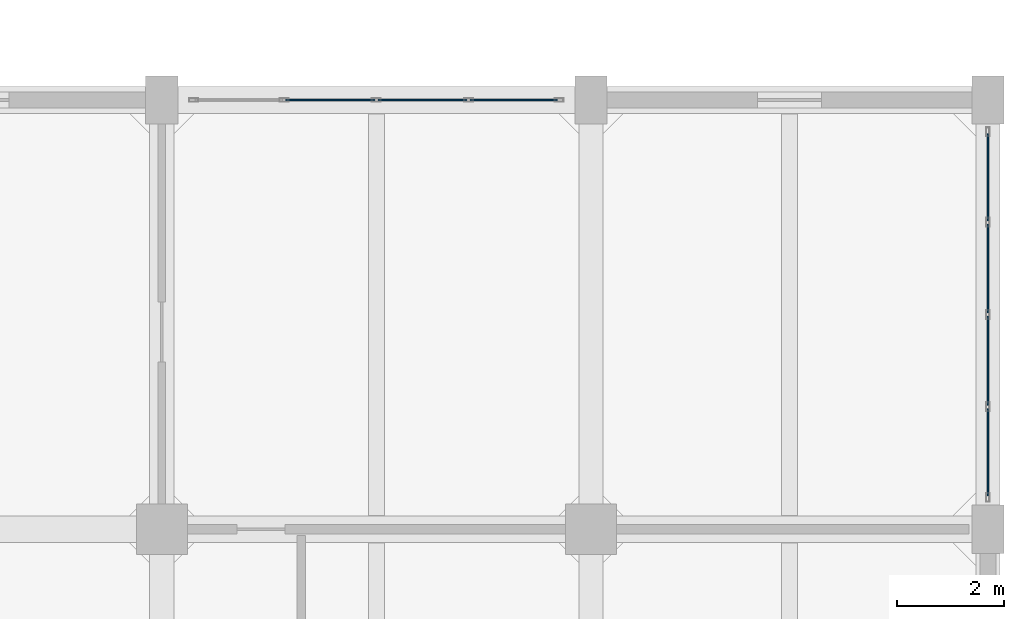
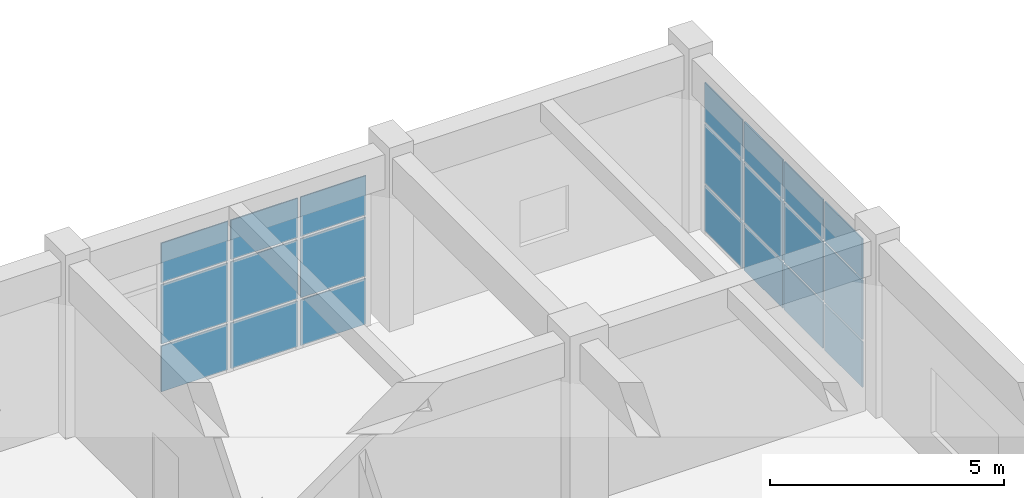
# One storey, part 213 of 248: 21 plates, 2 elements without a shape of their own.
"""IFC4 building model written with IfcOpenShell, lengths in metres."""

from ifc_helpers import new_model, si_unit, direction, frame, origin, origin_2d, place, context, subcontext, project, spatial, rectangle, extrude, material, layer, layer_set, type_object, element, aggregate, save


model = new_model("IFC4")

# Units and contexts
model_context = context("Model", 3, precision=1e-05, world=origin(), true_north=direction((0.0, 1.0)))
body_context = subcontext(model_context, "Body", "Model", "MODEL_VIEW")
ifc_project = project(units=[si_unit("LENGTHUNIT", "METRE"), si_unit("AREAUNIT", "SQUARE_METRE"), si_unit("VOLUMEUNIT", "CUBIC_METRE"), si_unit("PLANEANGLEUNIT", "RADIAN"), si_unit("MASSUNIT", "GRAM", prefix="KILO")], contexts=[model_context])

# Site, building, storey
site_placement = place(None, origin())
site = spatial("IfcSite", under=ifc_project, at=site_placement, CompositionType="ELEMENT")
building_placement = place(site_placement, origin())
building = spatial("IfcBuilding", under=site, at=building_placement, Name="Canggui Botanical Conservatory", CompositionType="ELEMENT")
storey_placement = place(building_placement, frame((0.0, 0.0, 5.39990234375)))
storey = spatial("IfcBuildingStorey", under=building, at=storey_placement, Name="L02", CompositionType="ELEMENT", Elevation=5.39990234375)

# Curtain wall, plates
ifc_material_1 = material(Name="Thermally Broken Aluminium", Category="aluminium")
ifc_layer_1 = layer(ifc_material_1, 0.1650390625, Name="Thermally Broken Aluminium", Category="aluminium")
ifc_layer_set_1 = layer_set([ifc_layer_1], Name="Thermally Broken Aluminium")
curtain_wall_type = type_object("IfcCurtainWallType", Name="CW-UNIT-B", PredefinedType="USERDEFINED", material=ifc_layer_set_1)
curtain_wall_1_placement = place(storey_placement, origin())
curtain_wall_1 = element("IfcCurtainWall", 1, at=curtain_wall_1_placement, inside=storey, type_object=curtain_wall_type, Name="Facade Curtain Wall CW-TWR-L02-18", ObjectType="UNITISED CURTAIN WALL", PredefinedType="USERDEFINED")
ifc_material_2 = material(Name="Low-E Insulated Glass", Category="glass")
ifc_layer_2 = layer(ifc_material_2, 0.030029296875, Name="Low-E Insulated Glass", Category="glass")
ifc_layer_set_2 = layer_set([ifc_layer_2], Name="Low-E Insulated Glass")
plate_type = type_object("IfcPlateType", Name="CWP-02", PredefinedType="CURTAIN_PANEL", material=ifc_layer_set_2)
plate_1_placement = place(storey_placement, frame((165.139892578125, 82.0, 0.06005859375), z_axis=(0.0, 0.0, 1.0), x_axis=(1.0, 0.0, 0.0)))
plate_1 = element("IfcPlate", 2, at=plate_1_placement, type_object=plate_type, Name="CW-02 panel 2.1", PredefinedType="CURTAIN_PANEL", context=body_context, shape_type="SweptSolid", body=[
    extrude(rectangle(XDim=1.655029296875, YDim=0.030029296875, at=origin_2d()), origin(), (0.0, 0.0, 1.0), 1.18994140625),
])
plate_2_placement = place(storey_placement, frame((165.139892578125, 82.0, 1.31005859375), z_axis=(0.0, 0.0, 1.0), x_axis=(1.0, 0.0, 0.0)))
plate_2 = element("IfcPlate", 3, at=plate_2_placement, type_object=plate_type, Name="CW-02 panel 2.2", PredefinedType="CURTAIN_PANEL", context=body_context, shape_type="SweptSolid", body=[
    extrude(rectangle(XDim=1.655029296875, YDim=0.030029296875, at=origin_2d()), origin(), (0.0, 0.0, 1.0), 1.5400390625),
])
plate_3_placement = place(storey_placement, frame((165.139892578125, 82.0, 2.91015625), z_axis=(0.0, 0.0, 1.0), x_axis=(1.0, 0.0, 0.0)))
plate_3 = element("IfcPlate", 4, at=plate_3_placement, type_object=plate_type, Name="CW-02 panel 2.3", PredefinedType="CURTAIN_PANEL", context=body_context, shape_type="SweptSolid", body=[
    extrude(rectangle(XDim=1.655029296875, YDim=0.030029296875, at=origin_2d()), origin(), (0.0, 0.0, 1.0), 1.030029296875),
])
plate_4_placement = place(storey_placement, frame((166.860107421875, 82.0, 0.06005859375), z_axis=(0.0, 0.0, 1.0), x_axis=(1.0, 0.0, 0.0)))
plate_4 = element("IfcPlate", 5, at=plate_4_placement, type_object=plate_type, Name="CW-02 panel 3.1", PredefinedType="CURTAIN_PANEL", context=body_context, shape_type="SweptSolid", body=[
    extrude(rectangle(XDim=1.655029296875, YDim=0.030029296875, at=origin_2d()), origin(), (0.0, 0.0, 1.0), 1.18994140625),
])
plate_5_placement = place(storey_placement, frame((166.860107421875, 82.0, 1.31005859375), z_axis=(0.0, 0.0, 1.0), x_axis=(1.0, 0.0, 0.0)))
plate_5 = element("IfcPlate", 6, at=plate_5_placement, type_object=plate_type, Name="CW-02 panel 3.2", PredefinedType="CURTAIN_PANEL", context=body_context, shape_type="SweptSolid", body=[
    extrude(rectangle(XDim=1.655029296875, YDim=0.030029296875, at=origin_2d()), origin(), (0.0, 0.0, 1.0), 1.5400390625),
])
plate_6_placement = place(storey_placement, frame((166.860107421875, 82.0, 2.91015625), z_axis=(0.0, 0.0, 1.0), x_axis=(1.0, 0.0, 0.0)))
plate_6 = element("IfcPlate", 7, at=plate_6_placement, type_object=plate_type, Name="CW-02 panel 3.3", PredefinedType="CURTAIN_PANEL", context=body_context, shape_type="SweptSolid", body=[
    extrude(rectangle(XDim=1.655029296875, YDim=0.030029296875, at=origin_2d()), origin(), (0.0, 0.0, 1.0), 1.030029296875),
])
plate_7_placement = place(storey_placement, frame((168.563720703125, 82.0, 0.06005859375), z_axis=(0.0, 0.0, 1.0), x_axis=(1.0, 0.0, 0.0)))
plate_7 = element("IfcPlate", 8, at=plate_7_placement, type_object=plate_type, Name="CW-02 panel 4.1", PredefinedType="CURTAIN_PANEL", context=body_context, shape_type="SweptSolid", body=[
    extrude(rectangle(XDim=1.62255859375, YDim=0.030029296875, at=origin_2d()), origin(), (0.0, 0.0, 1.0), 1.18994140625),
])
plate_8_placement = place(storey_placement, frame((168.563720703125, 82.0, 1.31005859375), z_axis=(0.0, 0.0, 1.0), x_axis=(1.0, 0.0, 0.0)))
plate_8 = element("IfcPlate", 9, at=plate_8_placement, type_object=plate_type, Name="CW-02 panel 4.2", PredefinedType="CURTAIN_PANEL", context=body_context, shape_type="SweptSolid", body=[
    extrude(rectangle(XDim=1.62255859375, YDim=0.030029296875, at=origin_2d()), origin(), (0.0, 0.0, 1.0), 1.5400390625),
])
plate_9_placement = place(storey_placement, frame((168.563720703125, 82.0, 2.91015625), z_axis=(0.0, 0.0, 1.0), x_axis=(1.0, 0.0, 0.0)))
plate_9 = element("IfcPlate", 10, at=plate_9_placement, type_object=plate_type, Name="CW-02 panel 4.3", PredefinedType="CURTAIN_PANEL", context=body_context, shape_type="SweptSolid", body=[
    extrude(rectangle(XDim=1.62255859375, YDim=0.030029296875, at=origin_2d()), origin(), (0.0, 0.0, 1.0), 1.030029296875),
])
aggregate(curtain_wall_1, [plate_1, plate_2, plate_3, plate_4, plate_5, plate_6, plate_7, plate_8, plate_9])

curtain_wall_2_placement = place(storey_placement, origin())
curtain_wall_2 = element("IfcCurtainWall", 11, at=curtain_wall_2_placement, inside=storey, type_object=curtain_wall_type, Name="Facade Curtain Wall CW-TWR-L02-20", ObjectType="UNITISED CURTAIN WALL", PredefinedType="USERDEFINED")
plate_10_placement = place(storey_placement, frame((177.39990234375, 80.563720703125, 0.06005859375), z_axis=(0.0, 0.0, 1.0), x_axis=(0.0, -1.0, 0.0)))
plate_10 = element("IfcPlate", 12, at=plate_10_placement, type_object=plate_type, Name="CW-02 panel 1.1", PredefinedType="CURTAIN_PANEL", context=body_context, shape_type="SweptSolid", body=[
    extrude(rectangle(XDim=1.62255859375, YDim=0.030029296875, at=origin_2d()), origin(), (0.0, 0.0, 1.0), 1.18994140625),
])
plate_11_placement = place(storey_placement, frame((177.39990234375, 80.563720703125, 1.31005859375), z_axis=(0.0, 0.0, 1.0), x_axis=(0.0, -1.0, 0.0)))
plate_11 = element("IfcPlate", 13, at=plate_11_placement, type_object=plate_type, Name="CW-02 panel 1.2", PredefinedType="CURTAIN_PANEL", context=body_context, shape_type="SweptSolid", body=[
    extrude(rectangle(XDim=1.62255859375, YDim=0.030029296875, at=origin_2d()), origin(), (0.0, 0.0, 1.0), 1.5400390625),
])
plate_12_placement = place(storey_placement, frame((177.39990234375, 80.563720703125, 2.91015625), z_axis=(0.0, 0.0, 1.0), x_axis=(0.0, -1.0, 0.0)))
plate_12 = element("IfcPlate", 14, at=plate_12_placement, type_object=plate_type, Name="CW-02 panel 1.3", PredefinedType="CURTAIN_PANEL", context=body_context, shape_type="SweptSolid", body=[
    extrude(rectangle(XDim=1.62255859375, YDim=0.030029296875, at=origin_2d()), origin(), (0.0, 0.0, 1.0), 1.030029296875),
])
plate_13_placement = place(storey_placement, frame((177.39990234375, 78.860107421875, 0.06005859375), z_axis=(0.0, 0.0, 1.0), x_axis=(0.0, -1.0, 0.0)))
plate_13 = element("IfcPlate", 15, at=plate_13_placement, type_object=plate_type, Name="CW-02 panel 2.1", PredefinedType="CURTAIN_PANEL", context=body_context, shape_type="SweptSolid", body=[
    extrude(rectangle(XDim=1.655029296875, YDim=0.030029296875, at=origin_2d()), origin(), (0.0, 0.0, 1.0), 1.18994140625),
])
plate_14_placement = place(storey_placement, frame((177.39990234375, 78.860107421875, 1.31005859375), z_axis=(0.0, 0.0, 1.0), x_axis=(0.0, -1.0, 0.0)))
plate_14 = element("IfcPlate", 16, at=plate_14_placement, type_object=plate_type, Name="CW-02 panel 2.2", PredefinedType="CURTAIN_PANEL", context=body_context, shape_type="SweptSolid", body=[
    extrude(rectangle(XDim=1.655029296875, YDim=0.030029296875, at=origin_2d()), origin(), (0.0, 0.0, 1.0), 1.5400390625),
])
plate_15_placement = place(storey_placement, frame((177.39990234375, 78.860107421875, 2.91015625), z_axis=(0.0, 0.0, 1.0), x_axis=(0.0, -1.0, 0.0)))
plate_15 = element("IfcPlate", 17, at=plate_15_placement, type_object=plate_type, Name="CW-02 panel 2.3", PredefinedType="CURTAIN_PANEL", context=body_context, shape_type="SweptSolid", body=[
    extrude(rectangle(XDim=1.655029296875, YDim=0.030029296875, at=origin_2d()), origin(), (0.0, 0.0, 1.0), 1.030029296875),
])
plate_16_placement = place(storey_placement, frame((177.39990234375, 77.139892578125, 0.06005859375), z_axis=(0.0, 0.0, 1.0), x_axis=(0.0, -1.0, 0.0)))
plate_16 = element("IfcPlate", 18, at=plate_16_placement, type_object=plate_type, Name="CW-02 panel 3.1", PredefinedType="CURTAIN_PANEL", context=body_context, shape_type="SweptSolid", body=[
    extrude(rectangle(XDim=1.655029296875, YDim=0.030029296875, at=origin_2d()), origin(), (0.0, 0.0, 1.0), 1.18994140625),
])
plate_17_placement = place(storey_placement, frame((177.39990234375, 77.139892578125, 1.31005859375), z_axis=(0.0, 0.0, 1.0), x_axis=(0.0, -1.0, 0.0)))
plate_17 = element("IfcPlate", 19, at=plate_17_placement, type_object=plate_type, Name="CW-02 panel 3.2", PredefinedType="CURTAIN_PANEL", context=body_context, shape_type="SweptSolid", body=[
    extrude(rectangle(XDim=1.655029296875, YDim=0.030029296875, at=origin_2d()), origin(), (0.0, 0.0, 1.0), 1.5400390625),
])
plate_18_placement = place(storey_placement, frame((177.39990234375, 77.139892578125, 2.91015625), z_axis=(0.0, 0.0, 1.0), x_axis=(0.0, -1.0, 0.0)))
plate_18 = element("IfcPlate", 20, at=plate_18_placement, type_object=plate_type, Name="CW-02 panel 3.3", PredefinedType="CURTAIN_PANEL", context=body_context, shape_type="SweptSolid", body=[
    extrude(rectangle(XDim=1.655029296875, YDim=0.030029296875, at=origin_2d()), origin(), (0.0, 0.0, 1.0), 1.030029296875),
])
plate_19_placement = place(storey_placement, frame((177.39990234375, 75.436279296875, 0.06005859375), z_axis=(0.0, 0.0, 1.0), x_axis=(0.0, -1.0, 0.0)))
plate_19 = element("IfcPlate", 21, at=plate_19_placement, type_object=plate_type, Name="CW-02 panel 4.1", PredefinedType="CURTAIN_PANEL", context=body_context, shape_type="SweptSolid", body=[
    extrude(rectangle(XDim=1.62255859375, YDim=0.030029296875, at=origin_2d()), origin(), (0.0, 0.0, 1.0), 1.18994140625),
])
plate_20_placement = place(storey_placement, frame((177.39990234375, 75.436279296875, 1.31005859375), z_axis=(0.0, 0.0, 1.0), x_axis=(0.0, -1.0, 0.0)))
plate_20 = element("IfcPlate", 22, at=plate_20_placement, type_object=plate_type, Name="CW-02 panel 4.2", PredefinedType="CURTAIN_PANEL", context=body_context, shape_type="SweptSolid", body=[
    extrude(rectangle(XDim=1.62255859375, YDim=0.030029296875, at=origin_2d()), origin(), (0.0, 0.0, 1.0), 1.5400390625),
])
plate_21_placement = place(storey_placement, frame((177.39990234375, 75.436279296875, 2.91015625), z_axis=(0.0, 0.0, 1.0), x_axis=(0.0, -1.0, 0.0)))
plate_21 = element("IfcPlate", 23, at=plate_21_placement, type_object=plate_type, Name="CW-02 panel 4.3", PredefinedType="CURTAIN_PANEL", context=body_context, shape_type="SweptSolid", body=[
    extrude(rectangle(XDim=1.62255859375, YDim=0.030029296875, at=origin_2d()), origin(), (0.0, 0.0, 1.0), 1.030029296875),
])
aggregate(curtain_wall_2, [plate_10, plate_11, plate_12, plate_13, plate_14, plate_15, plate_16, plate_17, plate_18, plate_19, plate_20, plate_21])

save(model, "model.ifc")
